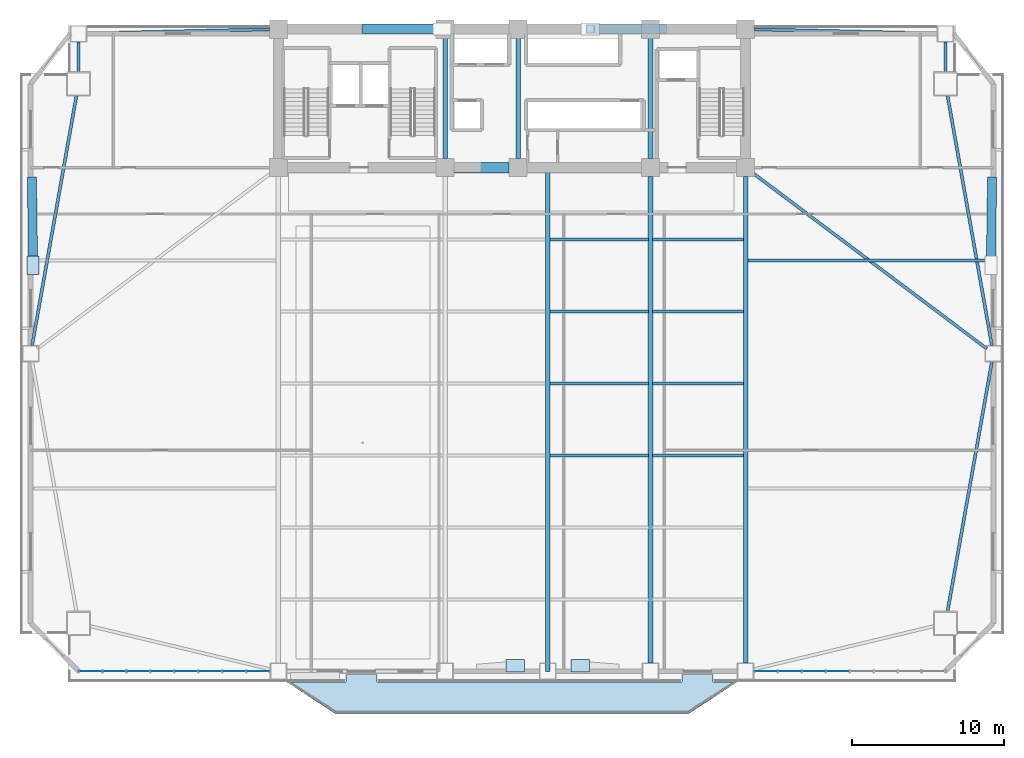
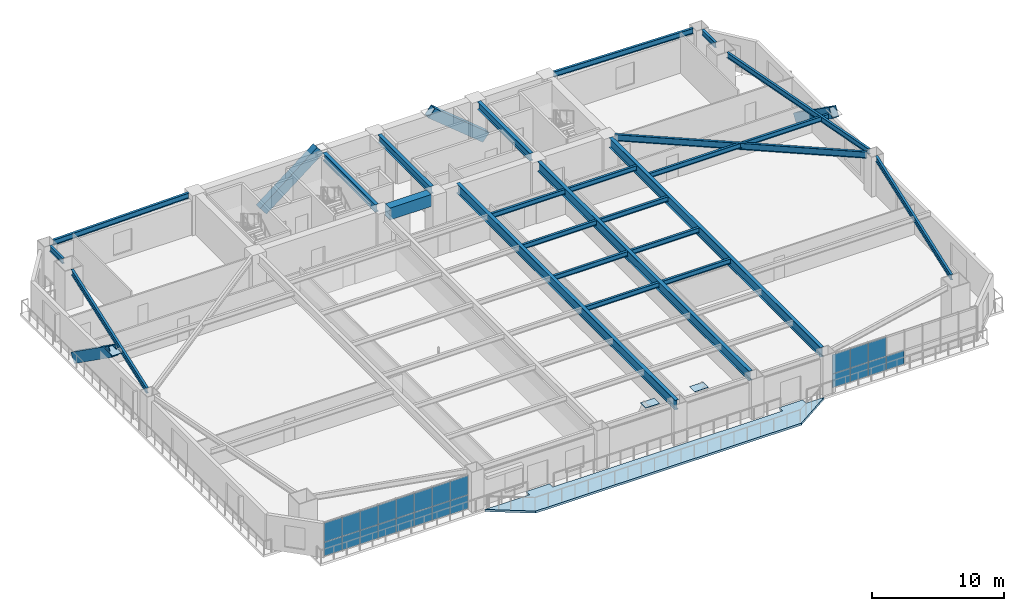
# One storey, part 7 of 17: 26 plates, 24 beams, 4 members, 1 slab, 2 elements without a shape of their own.
"""IFC4 building model written with IfcOpenShell, lengths in metres."""

from ifc_helpers import new_model, si_unit, direction, frame, origin, origin_2d, place, context, subcontext, project, spatial, polyline, rectangle, hollow_rectangle, i_section, outline, extrude, source, transform, mapped, material, layer, layer_set, material_profile, profile_set, type_object, element, aggregate, save


model = new_model("IFC4")

# Units and contexts
model_context = context("Model", 3, precision=1e-05, world=origin(), true_north=direction((0.0, 1.0)))
body_context = subcontext(model_context, "Body", "Model", "MODEL_VIEW")
ifc_project = project(units=[si_unit("LENGTHUNIT", "METRE"), si_unit("AREAUNIT", "SQUARE_METRE"), si_unit("VOLUMEUNIT", "CUBIC_METRE"), si_unit("PLANEANGLEUNIT", "RADIAN"), si_unit("MASSUNIT", "GRAM", prefix="KILO")], contexts=[model_context])

# Site, building, storey
site_placement = place(None, origin())
site = spatial("IfcSite", under=ifc_project, at=site_placement, CompositionType="ELEMENT")
building_placement = place(site_placement, origin())
building = spatial("IfcBuilding", under=site, at=building_placement, Name="Giltprow Tower", CompositionType="ELEMENT")
storey_placement = place(building_placement, frame((0.0, 0.0, 53.300048828125)))
storey = spatial("IfcBuildingStorey", under=building, at=storey_placement, Name="L13", CompositionType="ELEMENT", Elevation=53.300048828125)

# Beams
ifc_material_1 = material(Name="Concrete C60", Category="concrete")
ifc_material_profile_1 = material_profile(ifc_material_1, rectangle(XDim=0.699951171875, YDim=1.10009765625, at=origin_2d()), Name="RC 1100x700")
ifc_profile_set_1 = profile_set([ifc_material_profile_1], Name="Concrete C60")
beam_type_1 = type_object("IfcBeamType", Name="BM-CPL-RC1100", PredefinedType="LINTEL", material=ifc_profile_set_1)
shared_shape_1 = source(origin(), body_context, "Body", "SweptSolid", [
    extrude(rectangle(XDim=0.699951171875, YDim=1.10009765625, at=origin_2d()), origin(), (0.0, 0.0, 1.0), 3.6298828125),
])
beam_1_placement = place(storey_placement, frame((31.385009765625, 37.449951171875, 3.1298828125), z_axis=(1.0, 0.0, 0.0), x_axis=(0.0, 1.0, 0.0)))
element("IfcBeam", 1, at=beam_1_placement, inside=storey, type_object=beam_type_1, Name="L13 Core Coupling Beam CB-1", PredefinedType="LINTEL", context=body_context, shape_type="MappedRepresentation", body=[
    mapped(shared_shape_1, transform((0.0, 0.0, 0.0), x_axis=(1.0, 0.0, 0.0), y_axis=(0.0, 1.0, 0.0), z_axis=(0.0, 0.0, 1.0), scale=1.0)),
])
ifc_material_2 = material(Name="Structural steel Q355B", Category="steel")
ifc_material_profile_2 = material_profile(ifc_material_2, i_section(OverallWidth=0.300048828125, OverallDepth=0.699951171875, WebThickness=0.012939453125, FlangeThickness=0.02392578125, at=origin_2d()), Name="HN 700x300x13x24")
ifc_profile_set_2 = profile_set([ifc_material_profile_2], Name="Structural steel Q355B")
beam_type_2 = type_object("IfcBeamType", Name="BM-GIRD-HN700", PredefinedType="BEAM", material=ifc_profile_set_2)
shared_shape_2 = source(origin(), body_context, "Body", "SweptSolid", [
    extrude(i_section(OverallWidth=0.300048828125, OverallDepth=0.699951171875, WebThickness=0.012939453125, FlangeThickness=0.02392578125, at=origin_2d()), origin(), (0.0, 0.0, 1.0), 7.93017578125),
])
for number, where, z_axis, x_axis, name in (
    (2, (30.800048828125, 38.034912109375, 3.329833984375), (0.0, 1.0, 0.0), (-1.0, 0.0, 0.0), "L13 Core Tie Girder M1"),
    (3, (35.60009765625, 38.034912109375, 3.329833984375), (0.0, 1.0, 0.0), (-1.0, 0.0, 0.0), "L13 Core Tie Girder M2"),
    (4, (44.300048828125, 38.034912109375, 3.329833984375), (0.0, 1.0, 0.0), (-1.0, 0.0, 0.0), "L13 Core Tie Girder M3"),
):
    element("IfcBeam", number, at=place(storey_placement, frame(where, z_axis=z_axis, x_axis=x_axis)), inside=storey, type_object=beam_type_2, Name=name, PredefinedType="BEAM", context=body_context, shape_type="MappedRepresentation", body=[
        mapped(shared_shape_2, transform((0.0, 0.0, 0.0), x_axis=(1.0, 0.0, 0.0), y_axis=(0.0, 1.0, 0.0), z_axis=(0.0, 0.0, 1.0), scale=1.0)),
    ])
ifc_material_profile_3 = material_profile(ifc_material_2, i_section(OverallWidth=0.199951171875, OverallDepth=0.449951171875, WebThickness=0.009033203125, FlangeThickness=0.013916015625, at=origin_2d()), Name="HN 450x200x9x14")
ifc_profile_set_3 = profile_set([ifc_material_profile_3], Name="Structural steel Q355B")
beam_type_3 = type_object("IfcBeamType", Name="BM-JOIST-HN450", PredefinedType="JOIST", material=ifc_profile_set_3)
shared_shape_3 = source(origin(), body_context, "Body", "SweptSolid", [
    extrude(i_section(OverallWidth=0.199951171875, OverallDepth=0.449951171875, WebThickness=0.009033203125, FlangeThickness=0.013916015625, at=origin_2d()), origin(), (0.0, 0.0, 1.0), 6.4599609375),
])
for number, where, z_axis, x_axis, name in (
    (5, (37.695068359375, 18.5380859375, 3.454833984375), (1.0, 0.0, 0.0), (0.0, 1.0, 0.0), "L13 Composite Floor Joist 3-3"),
    (6, (37.695068359375, 23.26611328125, 3.454833984375), (1.0, 0.0, 0.0), (0.0, 1.0, 0.0), "L13 Composite Floor Joist 4-3"),
    (7, (37.695068359375, 27.993896484375, 3.454833984375), (1.0, 0.0, 0.0), (0.0, 1.0, 0.0), "L13 Composite Floor Joist 5-3"),
    (8, (37.695068359375, 32.721923828125, 3.454833984375), (1.0, 0.0, 0.0), (0.0, 1.0, 0.0), "L13 Composite Floor Joist 6-3"),
):
    element("IfcBeam", number, at=place(storey_placement, frame(where, z_axis=z_axis, x_axis=x_axis)), inside=storey, type_object=beam_type_3, Name=name, PredefinedType="JOIST", context=body_context, shape_type="MappedRepresentation", body=[
        mapped(shared_shape_3, transform((0.0, 0.0, 0.0), x_axis=(1.0, 0.0, 0.0), y_axis=(0.0, 1.0, 0.0), z_axis=(0.0, 0.0, 1.0), scale=1.0)),
    ])
shared_shape_4 = source(origin(), body_context, "Body", "SweptSolid", [
    extrude(i_section(OverallWidth=0.199951171875, OverallDepth=0.449951171875, WebThickness=0.009033203125, FlangeThickness=0.013916015625, at=origin_2d()), origin(), (0.0, 0.0, 1.0), 5.9599609375),
])
for number, where, z_axis, x_axis, name in (
    (9, (44.445068359375, 18.5380859375, 3.454833984375), (1.0, 0.0, 0.0), (0.0, 1.0, 0.0), "L13 Composite Floor Joist 3-4"),
    (10, (44.445068359375, 23.26611328125, 3.454833984375), (1.0, 0.0, 0.0), (0.0, 1.0, 0.0), "L13 Composite Floor Joist 4-4"),
    (11, (44.445068359375, 27.993896484375, 3.454833984375), (1.0, 0.0, 0.0), (0.0, 1.0, 0.0), "L13 Composite Floor Joist 5-4"),
    (12, (44.445068359375, 32.721923828125, 3.454833984375), (1.0, 0.0, 0.0), (0.0, 1.0, 0.0), "L13 Composite Floor Joist 6-4"),
):
    element("IfcBeam", number, at=place(storey_placement, frame(where, z_axis=z_axis, x_axis=x_axis)), inside=storey, type_object=beam_type_3, Name=name, PredefinedType="JOIST", context=body_context, shape_type="MappedRepresentation", body=[
        mapped(shared_shape_4, transform((0.0, 0.0, 0.0), x_axis=(1.0, 0.0, 0.0), y_axis=(0.0, 1.0, 0.0), z_axis=(0.0, 0.0, 1.0), scale=1.0)),
    ])
ifc_material_profile_4 = material_profile(ifc_material_2, i_section(OverallWidth=0.199951171875, OverallDepth=0.5, WebThickness=0.010009765625, FlangeThickness=0.01611328125, at=origin_2d()), Name="HN 500x200x10x16")
ifc_profile_set_4 = profile_set([ifc_material_profile_4], Name="Structural steel Q355B")
beam_type_4 = type_object("IfcBeamType", Name="BM-SPAN-HN500", PredefinedType="SPANDREL", material=ifc_profile_set_4)
shared_shape_5 = source(origin(), body_context, "Body", "SweptSolid", [
    extrude(i_section(OverallWidth=0.199951171875, OverallDepth=0.5, WebThickness=0.010009765625, FlangeThickness=0.01611328125, at=origin_2d()), origin(), (0.0, 0.0, 1.0), 16.68212890625),
])
for number, where, z_axis, x_axis, name in (
    (13, (63.819091796875, 8.27490234375, 3.429931640625), (0.174858049152, 0.984593653568, 0.0), (-0.984593653568, 0.174858049152, 0.0), "L13 Perimeter Spandrel Beam MC_SE-E_MID"),
    (14, (66.736083984375, 25.75390625, 3.429931640625), (-0.174858049152, 0.984593653568, 0.0), (-0.984593653568, -0.174858049152, 0.0), "L13 Perimeter Spandrel Beam E_MID-MC_NE"),
    (15, (6.5810546875, 42.178955078125, 3.429931640625), (-0.174858049152, -0.984593653568, 0.0), (0.984593653568, -0.174858049152, 0.0), "L13 Perimeter Spandrel Beam MC_NW-W_MID"),
):
    element("IfcBeam", number, at=place(storey_placement, frame(where, z_axis=z_axis, x_axis=x_axis)), inside=storey, type_object=beam_type_4, Name=name, PredefinedType="SPANDREL", context=body_context, shape_type="MappedRepresentation", body=[
        mapped(shared_shape_5, transform((0.0, 0.0, 0.0), x_axis=(1.0, 0.0, 0.0), y_axis=(0.0, 1.0, 0.0), z_axis=(0.0, 0.0, 1.0), scale=1.0)),
    ])
shared_shape_6 = source(origin(), body_context, "Body", "SweptSolid", [
    extrude(i_section(OverallWidth=0.199951171875, OverallDepth=0.5, WebThickness=0.010009765625, FlangeThickness=0.01611328125, at=origin_2d()), origin(), (0.0, 0.0, 1.0), 1.97802734375),
])
for number, where, z_axis, x_axis, name in (
    (16, (63.681884765625, 43.737060546875, 3.429931640625), (0.0, 1.0, 0.0), (-1.0, 0.0, 0.0), "L13 Perimeter Spandrel Beam MC_NE-N_E"),
    (17, (6.718017578125, 45.715087890625, 3.429931640625), (0.0, -1.0, 0.0), (1.0, 0.0, 0.0), "L13 Perimeter Spandrel Beam N_W-MC_NW"),
):
    element("IfcBeam", number, at=place(storey_placement, frame(where, z_axis=z_axis, x_axis=x_axis)), inside=storey, type_object=beam_type_4, Name=name, PredefinedType="SPANDREL", context=body_context, shape_type="MappedRepresentation", body=[
        mapped(shared_shape_6, transform((0.0, 0.0, 0.0), x_axis=(1.0, 0.0, 0.0), y_axis=(0.0, 1.0, 0.0), z_axis=(0.0, 0.0, 1.0), scale=1.0)),
    ])
shared_shape_7 = source(origin(), body_context, "Body", "SweptSolid", [
    extrude(i_section(OverallWidth=0.199951171875, OverallDepth=0.5, WebThickness=0.010009765625, FlangeThickness=0.01611328125, at=origin_2d()), origin(), (0.0, 0.0, 1.0), 12.01513671875),
])
for number, where, z_axis, x_axis, name in (
    (18, (7.2529296875, 46.261962890625, 3.429931640625), (0.999737759891, 0.022900031613, 0.0), (-0.022900031613, 0.999737759891, 0.0), "L13 North Wing Spandrel W"),
    (19, (51.135009765625, 46.537109375, 3.429931640625), (0.999737759891, -0.022900031613, 0.0), (0.022900031613, 0.999737759891, 0.0), "L13 North Wing Spandrel E"),
):
    element("IfcBeam", number, at=place(storey_placement, frame(where, z_axis=z_axis, x_axis=x_axis)), inside=storey, type_object=beam_type_4, Name=name, PredefinedType="SPANDREL", context=body_context, shape_type="MappedRepresentation", body=[
        mapped(shared_shape_7, transform((0.0, 0.0, 0.0), x_axis=(1.0, 0.0, 0.0), y_axis=(0.0, 1.0, 0.0), z_axis=(0.0, 0.0, 1.0), scale=1.0)),
    ])
ifc_material_profile_5 = material_profile(ifc_material_2, i_section(OverallWidth=0.300048828125, OverallDepth=0.89990234375, WebThickness=0.01611328125, FlangeThickness=0.028076171875, at=origin_2d()), Name="HN 900x300x16x28")
ifc_profile_set_5 = profile_set([ifc_material_profile_5], Name="Structural steel Q355B")
beam_type_5 = type_object("IfcBeamType", Name="BM-GIRD-HN900", PredefinedType="BEAM", material=ifc_profile_set_5)
shared_shape_8 = source(origin(), body_context, "Body", "SweptSolid", [
    extrude(i_section(OverallWidth=0.300048828125, OverallDepth=0.89990234375, WebThickness=0.01611328125, FlangeThickness=0.028076171875, at=origin_2d()), origin(), (0.0, 0.0, 1.0), 31.97607421875),
])
for number, where, z_axis, x_axis, name in (
    (20, (44.300048828125, 4.888916015625, 3.22998046875), (0.0, 1.0, 0.0), (-1.0, 0.0, 0.0), "L13 Primary Lease Girder S3"),
    (21, (50.550048828125, 4.888916015625, 3.22998046875), (0.0, 1.0, 0.0), (-1.0, 0.0, 0.0), "L13 Primary Lease Girder S4"),
):
    element("IfcBeam", number, at=place(storey_placement, frame(where, z_axis=z_axis, x_axis=x_axis)), inside=storey, type_object=beam_type_5, Name=name, PredefinedType="BEAM", context=body_context, shape_type="MappedRepresentation", body=[
        mapped(shared_shape_8, transform((0.0, 0.0, 0.0), x_axis=(1.0, 0.0, 0.0), y_axis=(0.0, 1.0, 0.0), z_axis=(0.0, 0.0, 1.0), scale=1.0)),
    ])
shared_shape_9 = source(origin(), body_context, "Body", "SweptSolid", [
    extrude(i_section(OverallWidth=0.300048828125, OverallDepth=0.89990234375, WebThickness=0.01611328125, FlangeThickness=0.028076171875, at=origin_2d()), origin(), (0.0, 0.0, 1.0), 33.095947265625),
])
beam_2_placement = place(storey_placement, frame((37.550048828125, 4.35400390625, 3.22998046875), z_axis=(0.0, 1.0, 0.0), x_axis=(-1.0, 0.0, 0.0)))
element("IfcBeam", 22, at=beam_2_placement, inside=storey, type_object=beam_type_5, Name="L13 Central Lease Girder SMID", PredefinedType="BEAM", context=body_context, shape_type="MappedRepresentation", body=[
    mapped(shared_shape_9, transform((0.0, 0.0, 0.0), x_axis=(1.0, 0.0, 0.0), y_axis=(0.0, 1.0, 0.0), z_axis=(0.0, 0.0, 1.0), scale=1.0)),
])
ifc_material_profile_6 = material_profile(ifc_material_2, i_section(OverallWidth=0.199951171875, OverallDepth=0.60009765625, WebThickness=0.010986328125, FlangeThickness=0.01708984375, at=origin_2d()), Name="HN 600x200x11x17")
ifc_profile_set_6 = profile_set([ifc_material_profile_6], Name="Structural steel Q355B")
beam_type_6 = type_object("IfcBeamType", Name="BM-GIRD-HN600", PredefinedType="BEAM", material=ifc_profile_set_6)
shared_shape_10 = source(origin(), body_context, "Body", "SweptSolid", [
    extrude(i_section(OverallWidth=0.199951171875, OverallDepth=0.60009765625, WebThickness=0.010986328125, FlangeThickness=0.01708984375, at=origin_2d()), origin(), (0.0, 0.0, 1.0), 19.23779296875),
])
beam_3_placement = place(storey_placement, frame((66.402099609375, 25.548095703125, 3.3798828125), z_axis=(-0.799675510247, 0.600432409444, 0.0), x_axis=(-0.600432409444, -0.799675510247, 0.0)))
element("IfcBeam", 23, at=beam_3_placement, inside=storey, type_object=beam_type_6, Name="L13 East Wing Primary Girder", PredefinedType="BEAM", context=body_context, shape_type="MappedRepresentation", body=[
    mapped(shared_shape_10, transform((0.0, 0.0, 0.0), x_axis=(1.0, 0.0, 0.0), y_axis=(0.0, 1.0, 0.0), z_axis=(0.0, 0.0, 1.0), scale=1.0)),
])
shared_shape_11 = source(origin(), body_context, "Body", "SweptSolid", [
    extrude(i_section(OverallWidth=0.199951171875, OverallDepth=0.449951171875, WebThickness=0.009033203125, FlangeThickness=0.013916015625, at=origin_2d()), origin(), (0.0, 0.0, 1.0), 15.9150390625),
])
beam_4_placement = place(storey_placement, frame((50.695068359375, 31.339111328125, 3.454833984375), z_axis=(1.0, 0.0, 0.0), x_axis=(0.0, 1.0, 0.0)))
element("IfcBeam", 24, at=beam_4_placement, inside=storey, type_object=beam_type_3, Name="L13 East Wing Floor Joist 2", PredefinedType="JOIST", context=body_context, shape_type="MappedRepresentation", body=[
    mapped(shared_shape_11, transform((0.0, 0.0, 0.0), x_axis=(1.0, 0.0, 0.0), y_axis=(0.0, 1.0, 0.0), z_axis=(0.0, 0.0, 1.0), scale=1.0)),
])

# Members
ifc_material_3 = material(Name="Structural steel Q420GJC", Category="steel")
ifc_material_profile_7 = material_profile(ifc_material_3, hollow_rectangle(XDim=0.60009765625, YDim=0.89990234375, WallThickness=0.0400390625, at=origin_2d()), Name="RHS 900x600x40")
ifc_profile_set_7 = profile_set([ifc_material_profile_7], Name="Structural steel Q420GJC")
member_type = type_object("IfcMemberType", Name="MBR-MEGA-RHS900", PredefinedType="BRACE", material=ifc_profile_set_7)
shared_shape_12 = source(origin(), body_context, "Body", "SweptSolid", [
    extrude(hollow_rectangle(XDim=0.60009765625, YDim=0.89990234375, WallThickness=0.0400390625, at=origin_2d()), origin(), (0.0, 0.0, 1.0), 6.33642578125),
])
member_1_placement = place(storey_placement, frame((25.612060546875, 46.550048828125, -0.14013671875), z_axis=(0.788126587103, 0.0, 0.615513186456), x_axis=(0.0, 1.0, 0.0)))
element("IfcMember", 25, at=member_1_placement, inside=storey, type_object=member_type, Name="L13 Chevron Mega-Brace N-L", PredefinedType="BRACE", context=body_context, shape_type="MappedRepresentation", body=[
    mapped(shared_shape_12, transform((0.0, 0.0, 0.0), x_axis=(1.0, 0.0, 0.0), y_axis=(0.0, 1.0, 0.0), z_axis=(0.0, 0.0, 1.0), scale=1.0)),
])
shared_shape_13 = source(origin(), body_context, "Body", "SweptSolid", [
    extrude(hollow_rectangle(XDim=0.60009765625, YDim=0.89990234375, WallThickness=0.0400390625, at=origin_2d()), origin(), (0.0, 0.0, 1.0), 6.13818359375),
])
member_2_placement = place(storey_placement, frame((45.080078125, 46.550048828125, -0.14013671875), z_axis=(-0.772199968951, 0.0, 0.635379577852), x_axis=(0.0, -1.0, 0.0)))
element("IfcMember", 26, at=member_2_placement, inside=storey, type_object=member_type, Name="L13 Chevron Mega-Brace N-R", PredefinedType="BRACE", context=body_context, shape_type="MappedRepresentation", body=[
    mapped(shared_shape_13, transform((0.0, 0.0, 0.0), x_axis=(1.0, 0.0, 0.0), y_axis=(0.0, 1.0, 0.0), z_axis=(0.0, 0.0, 1.0), scale=1.0)),
])
shared_shape_14 = source(origin(), body_context, "Body", "SweptSolid", [
    extrude(hollow_rectangle(XDim=0.60009765625, YDim=0.89990234375, WallThickness=0.0400390625, at=origin_2d()), origin(), (0.0, 0.0, 1.0), 6.77294921875),
])
for number, where, z_axis, x_axis, name in (
    (27, (3.656005859375, 36.56396484375, 0.0), (0.010922216907, -0.817508109675, 0.575813507824), (0.999910762104, 0.01335918519, 0.0), "L13 Chevron Mega-Brace W-R"),
    (28, (66.743896484375, 36.56396484375, 0.0), (-0.010922216907, -0.817508109675, 0.575813507824), (0.999910762104, -0.01335918519, 0.0), "L13 Chevron Mega-Brace E-R"),
):
    element("IfcMember", number, at=place(storey_placement, frame(where, z_axis=z_axis, x_axis=x_axis)), inside=storey, type_object=member_type, Name=name, PredefinedType="BRACE", context=body_context, shape_type="MappedRepresentation", body=[
        mapped(shared_shape_14, transform((0.0, 0.0, 0.0), x_axis=(1.0, 0.0, 0.0), y_axis=(0.0, 1.0, 0.0), z_axis=(0.0, 0.0, 1.0), scale=1.0)),
    ])

# Slab
ifc_material_4 = material(Name="Concrete C40", Category="concrete")
ifc_layer_1 = layer(ifc_material_4, 0.199951171875, Name="Concrete C40")
ifc_layer_set_1 = layer_set([ifc_layer_1], Name="Concrete C40")
slab_type = type_object("IfcSlabType", Name="SLB-BALC-BRONZE-200", PredefinedType="FLOOR", material=ifc_layer_set_1)
slab_placement = place(storey_placement, frame((0.0, 0.0, -0.199951171875)))
element("IfcSlab", 29, at=slab_placement, inside=storey, type_object=slab_type, Name="L13 Bronze Prow Waterfront Balcony Slab", PredefinedType="FLOOR", context=body_context, shape_type="SweptSolid", body=[
    extrude(outline(polyline([(50.0, 3.654052734375), (46.800048828125, 1.553955078125), (23.60009765625, 1.553955078125), (20.39990234375, 3.654052734375), (24.280029296875, 3.654052734375), (24.280029296875, 4.154052734375), (26.320068359375, 4.154052734375), (26.320068359375, 3.654052734375), (46.3798828125, 3.654052734375), (46.3798828125, 4.154052734375), (48.419921875, 4.154052734375), (48.419921875, 3.654052734375), (50.0, 3.654052734375)])), origin(), (0.0, 0.0, 1.0), 0.199951171875),
])

# Plates
plate_type_1 = type_object("IfcPlateType", Name="PLT-CAP-SEAL", PredefinedType="USERDEFINED", material=ifc_material_3)
shared_shape_15 = source(origin(), body_context, "Body", "SweptSolid", [
    extrude(rectangle(XDim=1.199951171875, YDim=0.800048828125, at=origin_2d()), origin(), (0.0, 0.0, 1.0), 0.034912109375),
])
for number, where, z_axis, x_axis, name in (
    (30, (35.409912109375, 4.715087890625, 3.88232421875), (0.0, 0.0, 1.0), (1.0, 0.0, 0.0), "Mega-Brace Node L13-S-LB"),
    (31, (39.68994140625, 4.715087890625, 3.88232421875), (0.0, 0.0, 1.0), (1.0, 0.0, 0.0), "Mega-Brace Node L13-S-RB"),
    (32, (3.72998046875, 31.027099609375, 3.88232421875), (0.0, 0.0, 1.0), (0.0, 1.0, 0.0), "Mega-Brace Node L13-W-RB"),
):
    element("IfcPlate", number, at=place(storey_placement, frame(where, z_axis=z_axis, x_axis=x_axis)), inside=storey, type_object=plate_type_1, Name=name, ObjectType="SPLICE", PredefinedType="USERDEFINED", context=body_context, shape_type="MappedRepresentation", body=[
        mapped(shared_shape_15, transform((0.0, 0.0, 0.0), x_axis=(1.0, 0.0, 0.0), y_axis=(0.0, 1.0, 0.0), z_axis=(0.0, 0.0, 1.0), scale=1.0)),
    ])

# Curtain wall, plates
ifc_material_5 = material(Name="Anodized bronze", Category="metal")
ifc_layer_2 = layer(ifc_material_5, 0.179931640625, Name="Anodized bronze")
ifc_layer_set_2 = layer_set([ifc_layer_2], Name="Anodized bronze")
curtain_wall_type = type_object("IfcCurtainWallType", Name="CW-OFF-RECESSED", PredefinedType="NOTDEFINED", material=ifc_layer_set_2)
curtain_wall_1_placement = place(storey_placement, origin())
curtain_wall_1 = element("IfcCurtainWall", 33, at=curtain_wall_1_placement, inside=storey, type_object=curtain_wall_type, Name="L13 South Recessed Curtain Wall 1", PredefinedType="NOTDEFINED")
ifc_material_6 = material(Name="Insulated glass", Category="glass")
plate_type_2 = type_object("IfcPlateType", Name="CW-PANEL-IGU-28", PredefinedType="CURTAIN_PANEL", material=ifc_material_6)
shared_shape_16 = source(origin(), body_context, "Body", "SweptSolid", [
    extrude(rectangle(XDim=1.54296875, YDim=0.028076171875, at=origin_2d()), origin(), (0.0, 0.0, 1.0), 1.259033203125),
])
plate_1_placement = place(storey_placement, frame((7.50390625, 4.35400390625, 0.05419921875), z_axis=(0.0, 0.0, 1.0), x_axis=(1.0, 0.0, 0.0)))
plate_1 = element("IfcPlate", 34, at=plate_1_placement, type_object=plate_type_2, Name="L13 South Recessed Curtain Wall 1 Glazing Panel 1-1", PredefinedType="CURTAIN_PANEL", context=body_context, shape_type="MappedRepresentation", body=[
    mapped(shared_shape_16, transform((0.0, 0.0, 0.0), x_axis=(1.0, 0.0, 0.0), y_axis=(0.0, 1.0, 0.0), z_axis=(0.0, 0.0, 1.0), scale=1.0)),
])
plate_2_placement = place(storey_placement, frame((9.076904296875, 4.35400390625, 0.05419921875), z_axis=(0.0, 0.0, 1.0), x_axis=(1.0, 0.0, 0.0)))
plate_2 = element("IfcPlate", 35, at=plate_2_placement, type_object=plate_type_2, Name="L13 South Recessed Curtain Wall 1 Glazing Panel 2-1", PredefinedType="CURTAIN_PANEL", context=body_context, shape_type="MappedRepresentation", body=[
    mapped(shared_shape_16, transform((0.0, 0.0, 0.0), x_axis=(1.0, 0.0, 0.0), y_axis=(0.0, 1.0, 0.0), z_axis=(0.0, 0.0, 1.0), scale=1.0)),
])
plate_3_placement = place(storey_placement, frame((10.64990234375, 4.35400390625, 0.05419921875), z_axis=(0.0, 0.0, 1.0), x_axis=(1.0, 0.0, 0.0)))
plate_3 = element("IfcPlate", 36, at=plate_3_placement, type_object=plate_type_2, Name="L13 South Recessed Curtain Wall 1 Glazing Panel 3-1", PredefinedType="CURTAIN_PANEL", context=body_context, shape_type="MappedRepresentation", body=[
    mapped(shared_shape_16, transform((0.0, 0.0, 0.0), x_axis=(1.0, 0.0, 0.0), y_axis=(0.0, 1.0, 0.0), z_axis=(0.0, 0.0, 1.0), scale=1.0)),
])
plate_4_placement = place(storey_placement, frame((12.222900390625, 4.35400390625, 0.05419921875), z_axis=(0.0, 0.0, 1.0), x_axis=(1.0, 0.0, 0.0)))
plate_4 = element("IfcPlate", 37, at=plate_4_placement, type_object=plate_type_2, Name="L13 South Recessed Curtain Wall 1 Glazing Panel 4-1", PredefinedType="CURTAIN_PANEL", context=body_context, shape_type="MappedRepresentation", body=[
    mapped(shared_shape_16, transform((0.0, 0.0, 0.0), x_axis=(1.0, 0.0, 0.0), y_axis=(0.0, 1.0, 0.0), z_axis=(0.0, 0.0, 1.0), scale=1.0)),
])
plate_5_placement = place(storey_placement, frame((13.794921875, 4.35400390625, 0.05419921875), z_axis=(0.0, 0.0, 1.0), x_axis=(1.0, 0.0, 0.0)))
plate_5 = element("IfcPlate", 38, at=plate_5_placement, type_object=plate_type_2, Name="L13 South Recessed Curtain Wall 1 Glazing Panel 5-1", PredefinedType="CURTAIN_PANEL", context=body_context, shape_type="MappedRepresentation", body=[
    mapped(shared_shape_16, transform((0.0, 0.0, 0.0), x_axis=(1.0, 0.0, 0.0), y_axis=(0.0, 1.0, 0.0), z_axis=(0.0, 0.0, 1.0), scale=1.0)),
])
plate_6_placement = place(storey_placement, frame((15.367919921875, 4.35400390625, 0.05419921875), z_axis=(0.0, 0.0, 1.0), x_axis=(1.0, 0.0, 0.0)))
plate_6 = element("IfcPlate", 39, at=plate_6_placement, type_object=plate_type_2, Name="L13 South Recessed Curtain Wall 1 Glazing Panel 6-1", PredefinedType="CURTAIN_PANEL", context=body_context, shape_type="MappedRepresentation", body=[
    mapped(shared_shape_16, transform((0.0, 0.0, 0.0), x_axis=(1.0, 0.0, 0.0), y_axis=(0.0, 1.0, 0.0), z_axis=(0.0, 0.0, 1.0), scale=1.0)),
])
plate_7_placement = place(storey_placement, frame((16.94091796875, 4.35400390625, 0.05419921875), z_axis=(0.0, 0.0, 1.0), x_axis=(1.0, 0.0, 0.0)))
plate_7 = element("IfcPlate", 40, at=plate_7_placement, type_object=plate_type_2, Name="L13 South Recessed Curtain Wall 1 Glazing Panel 7-1", PredefinedType="CURTAIN_PANEL", context=body_context, shape_type="MappedRepresentation", body=[
    mapped(shared_shape_16, transform((0.0, 0.0, 0.0), x_axis=(1.0, 0.0, 0.0), y_axis=(0.0, 1.0, 0.0), z_axis=(0.0, 0.0, 1.0), scale=1.0)),
])
plate_8_placement = place(storey_placement, frame((18.513916015625, 4.35400390625, 0.05419921875), z_axis=(0.0, 0.0, 1.0), x_axis=(1.0, 0.0, 0.0)))
plate_8 = element("IfcPlate", 41, at=plate_8_placement, type_object=plate_type_2, Name="L13 South Recessed Curtain Wall 1 Glazing Panel 8-1", PredefinedType="CURTAIN_PANEL", context=body_context, shape_type="MappedRepresentation", body=[
    mapped(shared_shape_16, transform((0.0, 0.0, 0.0), x_axis=(1.0, 0.0, 0.0), y_axis=(0.0, 1.0, 0.0), z_axis=(0.0, 0.0, 1.0), scale=1.0)),
])

curtain_wall_2_placement = place(storey_placement, origin())
curtain_wall_2 = element("IfcCurtainWall", 42, at=curtain_wall_2_placement, inside=storey, type_object=curtain_wall_type, Name="L13 South Recessed Curtain Wall 6", PredefinedType="NOTDEFINED")
plate_9_placement = place(storey_placement, frame((51.885986328125, 4.35400390625, 0.05419921875), z_axis=(0.0, 0.0, 1.0), x_axis=(1.0, 0.0, 0.0)))
plate_9 = element("IfcPlate", 43, at=plate_9_placement, type_object=plate_type_2, Name="L13 South Recessed Curtain Wall 6 Glazing Panel 1-1", PredefinedType="CURTAIN_PANEL", context=body_context, shape_type="MappedRepresentation", body=[
    mapped(shared_shape_16, transform((0.0, 0.0, 0.0), x_axis=(1.0, 0.0, 0.0), y_axis=(0.0, 1.0, 0.0), z_axis=(0.0, 0.0, 1.0), scale=1.0)),
])
plate_10_placement = place(storey_placement, frame((53.458984375, 4.35400390625, 0.05419921875), z_axis=(0.0, 0.0, 1.0), x_axis=(1.0, 0.0, 0.0)))
plate_10 = element("IfcPlate", 44, at=plate_10_placement, type_object=plate_type_2, Name="L13 South Recessed Curtain Wall 6 Glazing Panel 2-1", PredefinedType="CURTAIN_PANEL", context=body_context, shape_type="MappedRepresentation", body=[
    mapped(shared_shape_16, transform((0.0, 0.0, 0.0), x_axis=(1.0, 0.0, 0.0), y_axis=(0.0, 1.0, 0.0), z_axis=(0.0, 0.0, 1.0), scale=1.0)),
])
plate_11_placement = place(storey_placement, frame((55.031982421875, 4.35400390625, 0.05419921875), z_axis=(0.0, 0.0, 1.0), x_axis=(1.0, 0.0, 0.0)))
plate_11 = element("IfcPlate", 45, at=plate_11_placement, type_object=plate_type_2, Name="L13 South Recessed Curtain Wall 6 Glazing Panel 3-1", PredefinedType="CURTAIN_PANEL", context=body_context, shape_type="MappedRepresentation", body=[
    mapped(shared_shape_16, transform((0.0, 0.0, 0.0), x_axis=(1.0, 0.0, 0.0), y_axis=(0.0, 1.0, 0.0), z_axis=(0.0, 0.0, 1.0), scale=1.0)),
])
plate_12_placement = place(storey_placement, frame((56.60498046875, 4.35400390625, 0.05419921875), z_axis=(0.0, 0.0, 1.0), x_axis=(1.0, 0.0, 0.0)))
plate_12 = element("IfcPlate", 46, at=plate_12_placement, type_object=plate_type_2, Name="L13 South Recessed Curtain Wall 6 Glazing Panel 4-1", PredefinedType="CURTAIN_PANEL", context=body_context, shape_type="MappedRepresentation", body=[
    mapped(shared_shape_16, transform((0.0, 0.0, 0.0), x_axis=(1.0, 0.0, 0.0), y_axis=(0.0, 1.0, 0.0), z_axis=(0.0, 0.0, 1.0), scale=1.0)),
])

# Plate
shared_shape_17 = source(origin(), body_context, "Body", "SweptSolid", [
    extrude(rectangle(XDim=1.54296875, YDim=0.028076171875, at=origin_2d()), origin(), (0.0, 0.0, 1.0), 1.764892578125),
])
plate_13_placement = place(storey_placement, frame((7.50390625, 4.35400390625, 1.34033203125), z_axis=(0.0, 0.0, 1.0), x_axis=(1.0, 0.0, 0.0)))
plate_13 = element("IfcPlate", 47, at=plate_13_placement, type_object=plate_type_2, Name="L13 South Recessed Curtain Wall 1 Glazing Panel 1-2", PredefinedType="CURTAIN_PANEL", context=body_context, shape_type="MappedRepresentation", body=[
    mapped(shared_shape_17, transform((0.0, 0.0, 0.0), x_axis=(1.0, 0.0, 0.0), y_axis=(0.0, 1.0, 0.0), z_axis=(0.0, 0.0, 1.0), scale=1.0)),
])

plate_14_placement = place(storey_placement, frame((9.076904296875, 4.35400390625, 1.34033203125), z_axis=(0.0, 0.0, 1.0), x_axis=(1.0, 0.0, 0.0)))
plate_14 = element("IfcPlate", 48, at=plate_14_placement, type_object=plate_type_2, Name="L13 South Recessed Curtain Wall 1 Glazing Panel 2-2", PredefinedType="CURTAIN_PANEL", context=body_context, shape_type="MappedRepresentation", body=[
    mapped(shared_shape_17, transform((0.0, 0.0, 0.0), x_axis=(1.0, 0.0, 0.0), y_axis=(0.0, 1.0, 0.0), z_axis=(0.0, 0.0, 1.0), scale=1.0)),
])

plate_15_placement = place(storey_placement, frame((10.64990234375, 4.35400390625, 1.34033203125), z_axis=(0.0, 0.0, 1.0), x_axis=(1.0, 0.0, 0.0)))
plate_15 = element("IfcPlate", 49, at=plate_15_placement, type_object=plate_type_2, Name="L13 South Recessed Curtain Wall 1 Glazing Panel 3-2", PredefinedType="CURTAIN_PANEL", context=body_context, shape_type="MappedRepresentation", body=[
    mapped(shared_shape_17, transform((0.0, 0.0, 0.0), x_axis=(1.0, 0.0, 0.0), y_axis=(0.0, 1.0, 0.0), z_axis=(0.0, 0.0, 1.0), scale=1.0)),
])

plate_16_placement = place(storey_placement, frame((12.222900390625, 4.35400390625, 1.34033203125), z_axis=(0.0, 0.0, 1.0), x_axis=(1.0, 0.0, 0.0)))
plate_16 = element("IfcPlate", 50, at=plate_16_placement, type_object=plate_type_2, Name="L13 South Recessed Curtain Wall 1 Glazing Panel 4-2", PredefinedType="CURTAIN_PANEL", context=body_context, shape_type="MappedRepresentation", body=[
    mapped(shared_shape_17, transform((0.0, 0.0, 0.0), x_axis=(1.0, 0.0, 0.0), y_axis=(0.0, 1.0, 0.0), z_axis=(0.0, 0.0, 1.0), scale=1.0)),
])

plate_17_placement = place(storey_placement, frame((13.794921875, 4.35400390625, 1.34033203125), z_axis=(0.0, 0.0, 1.0), x_axis=(1.0, 0.0, 0.0)))
plate_17 = element("IfcPlate", 51, at=plate_17_placement, type_object=plate_type_2, Name="L13 South Recessed Curtain Wall 1 Glazing Panel 5-2", PredefinedType="CURTAIN_PANEL", context=body_context, shape_type="MappedRepresentation", body=[
    mapped(shared_shape_17, transform((0.0, 0.0, 0.0), x_axis=(1.0, 0.0, 0.0), y_axis=(0.0, 1.0, 0.0), z_axis=(0.0, 0.0, 1.0), scale=1.0)),
])

plate_18_placement = place(storey_placement, frame((15.367919921875, 4.35400390625, 1.34033203125), z_axis=(0.0, 0.0, 1.0), x_axis=(1.0, 0.0, 0.0)))
plate_18 = element("IfcPlate", 52, at=plate_18_placement, type_object=plate_type_2, Name="L13 South Recessed Curtain Wall 1 Glazing Panel 6-2", PredefinedType="CURTAIN_PANEL", context=body_context, shape_type="MappedRepresentation", body=[
    mapped(shared_shape_17, transform((0.0, 0.0, 0.0), x_axis=(1.0, 0.0, 0.0), y_axis=(0.0, 1.0, 0.0), z_axis=(0.0, 0.0, 1.0), scale=1.0)),
])

plate_19_placement = place(storey_placement, frame((16.94091796875, 4.35400390625, 1.34033203125), z_axis=(0.0, 0.0, 1.0), x_axis=(1.0, 0.0, 0.0)))
plate_19 = element("IfcPlate", 53, at=plate_19_placement, type_object=plate_type_2, Name="L13 South Recessed Curtain Wall 1 Glazing Panel 7-2", PredefinedType="CURTAIN_PANEL", context=body_context, shape_type="MappedRepresentation", body=[
    mapped(shared_shape_17, transform((0.0, 0.0, 0.0), x_axis=(1.0, 0.0, 0.0), y_axis=(0.0, 1.0, 0.0), z_axis=(0.0, 0.0, 1.0), scale=1.0)),
])

plate_20_placement = place(storey_placement, frame((18.513916015625, 4.35400390625, 1.34033203125), z_axis=(0.0, 0.0, 1.0), x_axis=(1.0, 0.0, 0.0)))
plate_20 = element("IfcPlate", 54, at=plate_20_placement, type_object=plate_type_2, Name="L13 South Recessed Curtain Wall 1 Glazing Panel 8-2", PredefinedType="CURTAIN_PANEL", context=body_context, shape_type="MappedRepresentation", body=[
    mapped(shared_shape_17, transform((0.0, 0.0, 0.0), x_axis=(1.0, 0.0, 0.0), y_axis=(0.0, 1.0, 0.0), z_axis=(0.0, 0.0, 1.0), scale=1.0)),
])

aggregate(curtain_wall_1, [plate_1, plate_13, plate_2, plate_14, plate_3, plate_15, plate_4, plate_16, plate_5, plate_17, plate_6, plate_18, plate_7, plate_19, plate_8, plate_20])

plate_21_placement = place(storey_placement, frame((51.885986328125, 4.35400390625, 1.34033203125), z_axis=(0.0, 0.0, 1.0), x_axis=(1.0, 0.0, 0.0)))
plate_21 = element("IfcPlate", 55, at=plate_21_placement, type_object=plate_type_2, Name="L13 South Recessed Curtain Wall 6 Glazing Panel 1-2", PredefinedType="CURTAIN_PANEL", context=body_context, shape_type="MappedRepresentation", body=[
    mapped(shared_shape_17, transform((0.0, 0.0, 0.0), x_axis=(1.0, 0.0, 0.0), y_axis=(0.0, 1.0, 0.0), z_axis=(0.0, 0.0, 1.0), scale=1.0)),
])

plate_22_placement = place(storey_placement, frame((53.458984375, 4.35400390625, 1.34033203125), z_axis=(0.0, 0.0, 1.0), x_axis=(1.0, 0.0, 0.0)))
plate_22 = element("IfcPlate", 56, at=plate_22_placement, type_object=plate_type_2, Name="L13 South Recessed Curtain Wall 6 Glazing Panel 2-2", PredefinedType="CURTAIN_PANEL", context=body_context, shape_type="MappedRepresentation", body=[
    mapped(shared_shape_17, transform((0.0, 0.0, 0.0), x_axis=(1.0, 0.0, 0.0), y_axis=(0.0, 1.0, 0.0), z_axis=(0.0, 0.0, 1.0), scale=1.0)),
])

plate_23_placement = place(storey_placement, frame((55.031982421875, 4.35400390625, 1.34033203125), z_axis=(0.0, 0.0, 1.0), x_axis=(1.0, 0.0, 0.0)))
plate_23 = element("IfcPlate", 57, at=plate_23_placement, type_object=plate_type_2, Name="L13 South Recessed Curtain Wall 6 Glazing Panel 3-2", PredefinedType="CURTAIN_PANEL", context=body_context, shape_type="MappedRepresentation", body=[
    mapped(shared_shape_17, transform((0.0, 0.0, 0.0), x_axis=(1.0, 0.0, 0.0), y_axis=(0.0, 1.0, 0.0), z_axis=(0.0, 0.0, 1.0), scale=1.0)),
])

aggregate(curtain_wall_2, [plate_9, plate_21, plate_10, plate_22, plate_11, plate_23, plate_12])

save(model, "model.ifc")
